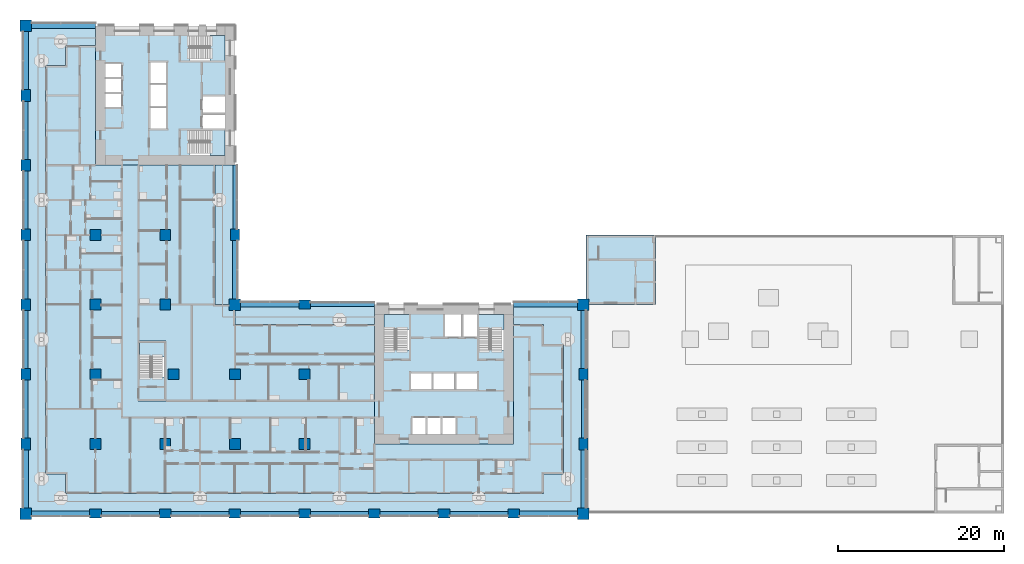
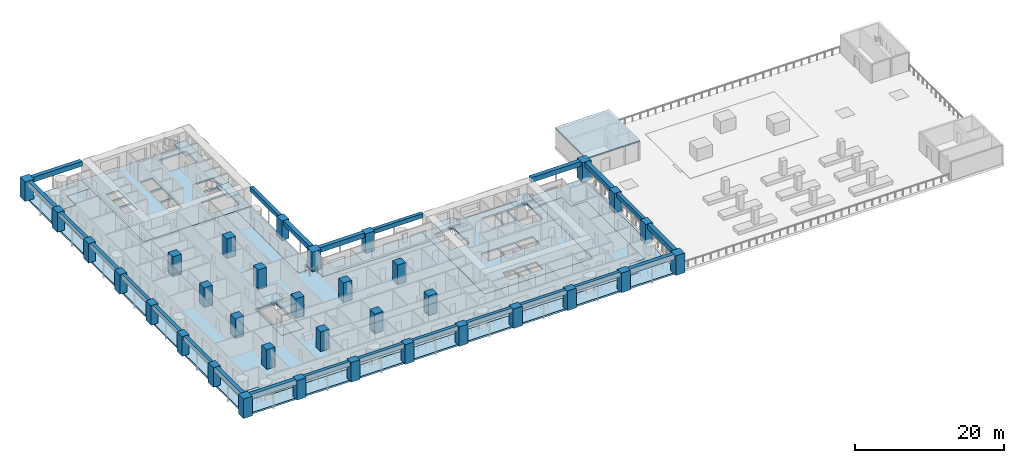
# One storey, part 1 of 23: 34 columns, 24 beams, 13 slabs, 5 elements without a shape of their own.
"""IFC4 building model written with IfcOpenShell, lengths in metres."""

import ifcopenshell
import ifcopenshell.guid

model = None  # the IFC model being written
_history = None  # IfcOwnerHistory: only IFC2X3 demands one
_inside = {}  # id of a spatial element -> (the spatial element, [elements in it])
_under = {}  # id of a project, library or spatial element -> (it, [spatial elements below it])
_declared = {}  # id of a project -> (the project, [libraries it declares])
_typed = {}  # id of a type object -> (the type object, [elements of that type])
_made_of = {}  # id of a material, layer set ... -> (it, [elements and type objects made of it])


def new_model(schema):
    """Start an empty IFC model of exactly this schema.

    Asked for "IFC4X3", IfcOpenShell would pick the latest addendum, in which some entities
    have other attributes; the version numbers below select the first issue.
    IFC2X3 requires an IfcOwnerHistory on every rooted entity: one is made here for all.
    """
    global model, _history
    if schema == "IFC4X3":
        model = ifcopenshell.file(schema_version=(4, 3, 0, 0))
    else:
        model = ifcopenshell.file(schema=schema)
    _inside.clear()
    _under.clear()
    _declared.clear()
    _typed.clear()
    _made_of.clear()
    _history = None
    if model.schema == "IFC2X3":
        org = make("IfcOrganization", Name="unknown")
        user = make(
            "IfcPersonAndOrganization",
            ThePerson=make("IfcPerson", FamilyName="unknown"),
            TheOrganization=org,
        )
        app = make(
            "IfcApplication",
            ApplicationDeveloper=org,
            Version="unknown",
            ApplicationFullName="unknown",
            ApplicationIdentifier="unknown",
        )
        _history = make(
            "IfcOwnerHistory",
            OwningUser=user,
            OwningApplication=app,
            ChangeAction="ADDED",
            CreationDate=0,
        )
    return model


def make(cls, **values):
    """One entity of the class cls with the attributes given. An attribute that is None is left unset."""
    return model.create_entity(
        cls, **{name: value for name, value in values.items() if value is not None}
    )


def rooted(cls, **values):
    """An entity with a GlobalId (a new one), such as an element, a storey or a relation."""
    return make(cls, GlobalId=ifcopenshell.guid.new(), OwnerHistory=_history, **values)


def si_unit(unit_type, name, prefix=None):
    """IfcSIUnit, for example si_unit("LENGTHUNIT", "METRE", prefix="MILLI")."""
    return make("IfcSIUnit", UnitType=unit_type, Prefix=prefix, Name=name)


def assignment(units):
    """IfcUnitAssignment: the units of a project."""
    return None if units is None else make("IfcUnitAssignment", Units=units)


def point(xyz):
    """IfcCartesianPoint."""
    return None if xyz is None else make("IfcCartesianPoint", Coordinates=xyz)


def direction(xyz):
    """IfcDirection."""
    return None if xyz is None else make("IfcDirection", DirectionRatios=xyz)


def frame(location, z_axis=None, x_axis=None):
    """IfcAxis2Placement3D, a coordinate frame: its origin and axes. An axis left out is left unset."""
    return make(
        "IfcAxis2Placement3D",
        Location=point(location),
        Axis=direction(z_axis),
        RefDirection=direction(x_axis),
    )


def frame_2d(location, x_axis=None):
    """IfcAxis2Placement2D, a coordinate frame in the plane: its origin and x axis."""
    return make(
        "IfcAxis2Placement2D", Location=point(location), RefDirection=direction(x_axis)
    )


def origin():
    """The frame at (0, 0, 0) with its axes left unset."""
    return frame((0.0, 0.0, 0.0))


def origin_2d():
    """The frame at (0, 0) in the plane with its x axis left unset."""
    return frame_2d((0.0, 0.0))


def place(relative_to, where):
    """IfcLocalPlacement: puts the frame where relative to a parent placement (None: the world)."""
    return make(
        "IfcLocalPlacement", PlacementRelTo=relative_to, RelativePlacement=where
    )


def context(
    kind, dimensions, precision=None, world=None, true_north=None, identifier=None
):
    """IfcGeometricRepresentationContext, for example the 3D "Model" context."""
    return make(
        "IfcGeometricRepresentationContext",
        ContextIdentifier=identifier,
        ContextType=kind,
        CoordinateSpaceDimension=dimensions,
        Precision=precision,
        WorldCoordinateSystem=world,
        TrueNorth=true_north,
    )


def subcontext(parent, identifier, kind, view, scale=None):
    """IfcGeometricRepresentationSubContext, for example "Body" below "Model"."""
    return make(
        "IfcGeometricRepresentationSubContext",
        ContextIdentifier=identifier,
        ContextType=kind,
        ParentContext=parent,
        TargetScale=scale,
        TargetView=view,
    )


def project(units=None, contexts=None):
    """IfcProject with its units and contexts."""
    return rooted(
        "IfcProject",
        Name="project",
        RepresentationContexts=contexts,
        UnitsInContext=assignment(units),
    )


def spatial(cls, under=None, at=None, **own):
    """A site, building, storey or space (cls), placed at a placement, below another one or the project."""
    s = rooted(cls, ObjectPlacement=at, **own)
    if under is not None:
        _under.setdefault(under.id(), (under, []))[1].append(s)
    return s


def polyline(points):
    """IfcPolyline through the points."""
    return make("IfcPolyline", Points=[point(p) for p in points])


def profile(cls, at=None, kind="AREA", **sizes):
    """A parametric profile (cls). Its sizes go by their IFC names, for example OverallWidth=200.0."""
    return make(cls, ProfileType=kind, Position=at, **sizes)


def rectangle(**sizes):
    """IfcRectangleProfileDef."""
    return profile("IfcRectangleProfileDef", **sizes)


def outline(outer, holes=None, kind="AREA"):
    """IfcArbitraryClosedProfileDef: a profile drawn as a closed curve; with holes, ...WithVoids."""
    if holes is None:
        return make("IfcArbitraryClosedProfileDef", ProfileType=kind, OuterCurve=outer)
    return make(
        "IfcArbitraryProfileDefWithVoids",
        ProfileType=kind,
        OuterCurve=outer,
        InnerCurves=holes,
    )


def extrude(swept, where, along, depth):
    """IfcExtrudedAreaSolid: the profile swept, set in the frame where, extruded along a direction by depth."""
    return make(
        "IfcExtrudedAreaSolid",
        SweptArea=swept,
        Position=where,
        ExtrudedDirection=direction(along),
        Depth=depth,
    )


def shape(context_of_items, identifier, shape_type, items):
    """IfcShapeRepresentation: the items that make up one representation, for example the "Body"."""
    return make(
        "IfcShapeRepresentation",
        ContextOfItems=context_of_items,
        RepresentationIdentifier=identifier,
        RepresentationType=shape_type,
        Items=items,
    )


def material(Name=None, Category=None):
    """IfcMaterial."""
    return make("IfcMaterial", Name=Name, Category=Category)


def layer(
    of_material, thickness, ventilated=None, Name=None, Category=None, Priority=None
):
    """IfcMaterialLayer: one layer of a wall or slab, of a material (None: an air gap)."""
    return make(
        "IfcMaterialLayer",
        Material=of_material,
        LayerThickness=thickness,
        IsVentilated=ventilated,
        Name=Name,
        Category=Category,
        Priority=Priority,
    )


def layer_set(layers, Name=None):
    """IfcMaterialLayerSet."""
    return make("IfcMaterialLayerSet", MaterialLayers=layers, LayerSetName=Name)


def material_profile(
    of_material, cross_section, Name=None, Category=None, Priority=None
):
    """IfcMaterialProfile: a cross section and its material."""
    return make(
        "IfcMaterialProfile",
        Name=Name,
        Material=of_material,
        Profile=cross_section,
        Priority=Priority,
        Category=Category,
    )


def profile_set(profiles, Name=None, composite=None):
    """IfcMaterialProfileSet."""
    return make(
        "IfcMaterialProfileSet",
        Name=Name,
        MaterialProfiles=profiles,
        CompositeProfile=composite,
    )


def made_of(thing, what):
    """Note that an element or type object is made of a material, layer set ...; save() writes the relation."""
    if what is not None:
        _made_of.setdefault(what.id(), (what, []))[1].append(thing)
    return thing


def type_object(cls, material=None, **own):
    """A type object (cls), such as IfcWallType, which elements share."""
    return made_of(rooted(cls, **own), material)


def element(
    cls,
    number,
    at=None,
    inside=None,
    cuts=None,
    type_object=None,
    material=None,
    context=None,
    identifier="Body",
    shape_type=None,
    held_by="IfcProductDefinitionShape",
    body=None,
    shapes=None,
    **own,
):
    """One element of the class cls, such as IfcWall. Its Tag is "e" and its number.

    at: its placement. inside: the storey or other place that contains it. cuts: it is an
    opening in that element (IfcRelVoidsElement). A single representation is given by context,
    identifier, shape_type and body (its items); several are given by shapes. held_by: the class
    of the entity that holds the representations. save() writes the other relations.
    """
    e = rooted(cls, Tag="e%d" % number, ObjectPlacement=at, **own)
    if body is not None:
        shapes = [shape(context, identifier, shape_type, body)]
    if shapes is not None:
        e.Representation = make(held_by, Representations=shapes)
    if inside is not None:
        _inside.setdefault(inside.id(), (inside, []))[1].append(e)
    if cuts is not None:
        rooted(
            "IfcRelVoidsElement", RelatingBuildingElement=cuts, RelatedOpeningElement=e
        )
    if type_object is not None:
        _typed.setdefault(type_object.id(), (type_object, []))[1].append(e)
    return made_of(e, material)


def aggregate(whole, parts):
    """IfcRelAggregates: a whole, such as a stair, and the parts it consists of."""
    return rooted("IfcRelAggregates", RelatingObject=whole, RelatedObjects=parts)


def save(model, path):
    """Write the relations noted so far, then the file.

    IfcRelAggregates (storeys below a building ...), IfcRelContainedInSpatialStructure (elements
    in a storey), IfcRelDefinesByType, IfcRelAssociatesMaterial and IfcRelDeclares: one each for
    every whole, place, type object, material and project.
    """
    for whole, parts in _under.values():
        aggregate(whole, parts)
    for where, things in _inside.values():
        rooted(
            "IfcRelContainedInSpatialStructure",
            RelatedElements=things,
            RelatingStructure=where,
        )
    for kind, things in _typed.values():
        rooted("IfcRelDefinesByType", RelatedObjects=things, RelatingType=kind)
    for what, things in _made_of.values():
        rooted("IfcRelAssociatesMaterial", RelatedObjects=things, RelatingMaterial=what)
    for by, libraries in _declared.values():
        rooted("IfcRelDeclares", RelatingContext=by, RelatedDefinitions=libraries)
    model.write(path)


model = new_model("IFC4")

# Units and contexts
model_context = context("Model", 3, precision=1e-05, world=origin(), true_north=direction((0.0, 1.0)))
body_context = subcontext(model_context, "Body", "Model", "MODEL_VIEW")
ifc_project = project(units=[si_unit("LENGTHUNIT", "METRE"), si_unit("AREAUNIT", "SQUARE_METRE"), si_unit("VOLUMEUNIT", "CUBIC_METRE"), si_unit("PLANEANGLEUNIT", "RADIAN"), si_unit("MASSUNIT", "GRAM", prefix="KILO")], contexts=[model_context])

# Site, building, storey
site_placement = place(None, origin())
site = spatial("IfcSite", under=ifc_project, at=site_placement, CompositionType="ELEMENT")
building_placement = place(site_placement, origin())
building = spatial("IfcBuilding", under=site, at=building_placement, Name="Vermilion Gate Residences", CompositionType="ELEMENT")
storey_placement = place(building_placement, frame((0.0, 0.0, 25.199951171875)))
storey = spatial("IfcBuildingStorey", under=building, at=storey_placement, Name="L04", CompositionType="ELEMENT", Elevation=25.199951171875)

# Columns
ifc_material_1 = material(Name="Concrete C80", Category="concrete")
ifc_material_profile_1 = material_profile(ifc_material_1, rectangle(XDim=1.300048828125, YDim=1.300048828125, at=origin_2d()), Name="RC-1300x1300")
ifc_profile_set_1 = profile_set([ifc_material_profile_1], Name="Concrete C80")
column_type_1 = type_object("IfcColumnType", Name="RC COLUMN 1300 X 1300 C80", PredefinedType="COLUMN", material=ifc_profile_set_1)
for number, where, z_axis, x_axis, name in (
    (1, (8.39990234375, 8.39990234375, 0.0), (0.0, 0.0, 1.0), (1.0, 0.0, 0.0), "Column 2-B L04"),
    (2, (8.39990234375, 16.800048828125, 0.0), (0.0, 0.0, 1.0), (1.0, 0.0, 0.0), "Column 2-C L04"),
    (3, (8.39990234375, 25.199951171875, 0.0), (0.0, 0.0, 1.0), (1.0, 0.0, 0.0), "Column 2-D L04"),
    (4, (8.39990234375, 33.60009765625, 0.0), (0.0, 0.0, 1.0), (1.0, 0.0, 0.0), "Column 2-E L04"),
    (5, (16.800048828125, 8.39990234375, 0.0), (0.0, 0.0, 1.0), (1.0, 0.0, 0.0), "Column 3-B L04"),
    (6, (17.800048828125, 16.800048828125, 0.0), (0.0, 0.0, 1.0), (1.0, 0.0, 0.0), "Column 3-C L04"),
    (7, (16.800048828125, 25.199951171875, 0.0), (0.0, 0.0, 1.0), (1.0, 0.0, 0.0), "Column 3-D L04"),
    (8, (16.800048828125, 33.60009765625, 0.0), (0.0, 0.0, 1.0), (1.0, 0.0, 0.0), "Column 3-E L04"),
    (9, (25.199951171875, 8.39990234375, 0.0), (0.0, 0.0, 1.0), (1.0, 0.0, 0.0), "Column 4-B L04"),
    (10, (25.199951171875, 16.800048828125, 0.0), (0.0, 0.0, 1.0), (1.0, 0.0, 0.0), "Column 4-C L04"),
    (11, (33.60009765625, 8.39990234375, 0.0), (0.0, 0.0, 1.0), (1.0, 0.0, 0.0), "Column 5-B L04"),
    (12, (33.60009765625, 16.800048828125, 0.0), (0.0, 0.0, 1.0), (1.0, 0.0, 0.0), "Column 5-C L04"),
):
    element("IfcColumn", number, at=place(storey_placement, frame(where, z_axis=z_axis, x_axis=x_axis)), inside=storey, type_object=column_type_1, Name=name, PredefinedType="COLUMN", context=body_context, shape_type="SweptSolid", body=[
        extrude(rectangle(XDim=1.300048828125, YDim=1.300048828125, at=origin_2d()), origin(), (0.0, 0.0, 1.0), 3.219970703125),
    ])
ifc_material_2 = material(Name="Concrete C80", Category="concrete")
ifc_material_profile_2 = material_profile(ifc_material_2, rectangle(XDim=1.39990234375, YDim=1.10009765625, at=origin_2d()), Name="RC-1400x1100")
ifc_profile_set_2 = profile_set([ifc_material_profile_2], Name="Concrete C80")
column_type_2 = type_object("IfcColumnType", Name="RC COLUMN 1400 X 1100 C80", PredefinedType="COLUMN", material=ifc_profile_set_2)
for number, where, z_axis, x_axis, name in (
    (13, (0.0, 8.39990234375, 0.0), (0.0, 0.0, 1.0), (0.0, 1.0, 0.0), "Column 1-B L04"),
    (14, (0.0, 16.800048828125, 0.0), (0.0, 0.0, 1.0), (0.0, 1.0, 0.0), "Column 1-C L04"),
    (15, (0.0, 25.199951171875, 0.0), (0.0, 0.0, 1.0), (0.0, 1.0, 0.0), "Column 1-D L04"),
    (16, (0.0, 33.60009765625, 0.0), (0.0, 0.0, 1.0), (0.0, 1.0, 0.0), "Column 1-E L04"),
    (17, (0.0, 42.0, 0.0), (0.0, 0.0, 1.0), (0.0, 1.0, 0.0), "Column 1-F L04"),
    (18, (0.0, 50.39990234375, 0.0), (0.0, 0.0, 1.0), (0.0, 1.0, 0.0), "Column 1-G L04"),
    (19, (8.39990234375, 0.0, 0.0), (0.0, 0.0, 1.0), (1.0, 0.0, 0.0), "Column 2-A L04"),
    (20, (16.800048828125, 0.0, 0.0), (0.0, 0.0, 1.0), (1.0, 0.0, 0.0), "Column 3-A L04"),
    (21, (25.199951171875, 0.0, 0.0), (0.0, 0.0, 1.0), (1.0, 0.0, 0.0), "Column 4-A L04"),
    (22, (25.199951171875, 33.60009765625, 0.0), (0.0, 0.0, 1.0), (0.0, 1.0, 0.0), "Column 4-E L04"),
    (23, (33.60009765625, 0.0, 0.0), (0.0, 0.0, 1.0), (1.0, 0.0, 0.0), "Column 5-A L04"),
    (24, (33.60009765625, 25.199951171875, 0.0), (0.0, 0.0, 1.0), (1.0, 0.0, 0.0), "Column 5-D L04"),
    (25, (42.0, 0.0, 0.0), (0.0, 0.0, 1.0), (1.0, 0.0, 0.0), "Column 6-A L04"),
    (26, (50.39990234375, 0.0, 0.0), (0.0, 0.0, 1.0), (1.0, 0.0, 0.0), "Column 7-A L04"),
    (27, (58.800048828125, 0.0, 0.0), (0.0, 0.0, 1.0), (1.0, 0.0, 0.0), "Column 8-A L04"),
    (28, (67.199951171875, 8.39990234375, 0.0), (0.0, 0.0, 1.0), (0.0, 1.0, 0.0), "Column 9-B L04"),
    (29, (67.199951171875, 16.800048828125, 0.0), (0.0, 0.0, 1.0), (0.0, 1.0, 0.0), "Column 9-C L04"),
):
    element("IfcColumn", number, at=place(storey_placement, frame(where, z_axis=z_axis, x_axis=x_axis)), inside=storey, type_object=column_type_2, Name=name, PredefinedType="COLUMN", context=body_context, shape_type="SweptSolid", body=[
        extrude(rectangle(XDim=1.39990234375, YDim=1.10009765625, at=origin_2d()), origin(), (0.0, 0.0, 1.0), 3.219970703125),
    ])
ifc_material_3 = material(Name="Concrete C80", Category="concrete")
ifc_material_profile_3 = material_profile(ifc_material_3, rectangle(XDim=1.39990234375, YDim=1.39990234375, at=origin_2d()), Name="RC-1400x1400")
ifc_profile_set_3 = profile_set([ifc_material_profile_3], Name="Concrete C80")
column_type_3 = type_object("IfcColumnType", Name="RC COLUMN 1400 X 1400 C80", PredefinedType="COLUMN", material=ifc_profile_set_3)
for number, where, z_axis, x_axis, name in (
    (30, (0.0, 0.0, 0.0), (0.0, 0.0, 1.0), (1.0, 0.0, 0.0), "Column 1-A L04"),
    (31, (0.0, 58.800048828125, 0.0), (0.0, 0.0, 1.0), (1.0, 0.0, 0.0), "Column 1-H L04"),
    (32, (25.199951171875, 25.199951171875, 0.0), (0.0, 0.0, 1.0), (1.0, 0.0, 0.0), "Column 4-D L04"),
    (33, (67.199951171875, 0.0, 0.0), (0.0, 0.0, 1.0), (1.0, 0.0, 0.0), "Column 9-A L04"),
    (34, (67.199951171875, 25.199951171875, 0.0), (0.0, 0.0, 1.0), (1.0, 0.0, 0.0), "Column 9-D L04"),
):
    element("IfcColumn", number, at=place(storey_placement, frame(where, z_axis=z_axis, x_axis=x_axis)), inside=storey, type_object=column_type_3, Name=name, PredefinedType="COLUMN", context=body_context, shape_type="SweptSolid", body=[
        extrude(rectangle(XDim=1.39990234375, YDim=1.39990234375, at=origin_2d()), origin(), (0.0, 0.0, 1.0), 3.219970703125),
    ])

# Beams
ifc_material_4 = material(Name="Concrete C60 red-oxide pigmented", Category="concrete")
ifc_material_profile_4 = material_profile(ifc_material_4, rectangle(XDim=0.60009765625, YDim=0.800048828125, at=origin_2d()), Name="RC-600x800")
ifc_profile_set_4 = profile_set([ifc_material_profile_4], Name="Concrete C60 red-oxide pigmented")
beam_type_1 = type_object("IfcBeamType", Name="RC CORNER EDGE BEAM 600 X 800 C60", PredefinedType="BEAM", material=ifc_profile_set_4)
for number, where, z_axis, x_axis, name in (
    (35, (0.699951171875, 0.0, 2.820068359375), (1.0, 0.0, 0.0), (0.0, 1.0, 0.0), "Corner edge beam L04 1"),
    (36, (0.0, 0.699951171875, 2.820068359375), (0.0, 1.0, 0.0), (-1.0, 0.0, 0.0), "Corner edge beam L04 2"),
):
    element("IfcBeam", number, at=place(storey_placement, frame(where, z_axis=z_axis, x_axis=x_axis)), inside=storey, type_object=beam_type_1, Name=name, PredefinedType="BEAM", context=body_context, shape_type="SweptSolid", body=[
        extrude(rectangle(XDim=0.60009765625, YDim=0.800048828125, at=origin_2d()), origin(), (0.0, 0.0, 1.0), 7.0),
    ])
beam_1_placement = place(storey_placement, frame((0.699951171875, 58.800048828125, 2.820068359375), z_axis=(1.0, 0.0, 0.0), x_axis=(0.0, 1.0, 0.0)))
element("IfcBeam", 37, at=beam_1_placement, inside=storey, type_object=beam_type_1, Name="Corner edge beam L04 8", PredefinedType="BEAM", context=body_context, shape_type="SweptSolid", body=[
    extrude(rectangle(XDim=0.60009765625, YDim=0.800048828125, at=origin_2d()), origin(), (0.0, 0.0, 1.0), 7.699951171875),
])
for number, where, z_axis, x_axis, name in (
    (38, (0.0, 51.10009765625, 2.820068359375), (0.0, 1.0, 0.0), (-1.0, 0.0, 0.0), "Corner edge beam L04 9"),
    (39, (25.199951171875, 25.89990234375, 2.820068359375), (0.0, 1.0, 0.0), (-1.0, 0.0, 0.0), "Corner edge beam L04 12"),
    (40, (25.89990234375, 25.199951171875, 2.820068359375), (1.0, 0.0, 0.0), (0.0, 1.0, 0.0), "Corner edge beam L04 15"),
    (41, (59.5, 0.0, 2.820068359375), (1.0, 0.0, 0.0), (0.0, 1.0, 0.0), "Corner edge beam L04 20"),
    (42, (67.199951171875, 0.699951171875, 2.820068359375), (0.0, 1.0, 0.0), (-1.0, 0.0, 0.0), "Corner edge beam L04 21"),
    (43, (67.199951171875, 17.5, 2.820068359375), (0.0, 1.0, 0.0), (-1.0, 0.0, 0.0), "Corner edge beam L04 23"),
):
    element("IfcBeam", number, at=place(storey_placement, frame(where, z_axis=z_axis, x_axis=x_axis)), inside=storey, type_object=beam_type_1, Name=name, PredefinedType="BEAM", context=body_context, shape_type="SweptSolid", body=[
        extrude(rectangle(XDim=0.60009765625, YDim=0.800048828125, at=origin_2d()), origin(), (0.0, 0.0, 1.0), 7.0),
    ])
beam_2_placement = place(storey_placement, frame((58.800048828125, 25.199951171875, 2.820068359375), z_axis=(1.0, 0.0, 0.0), x_axis=(0.0, 1.0, 0.0)))
element("IfcBeam", 44, at=beam_2_placement, inside=storey, type_object=beam_type_1, Name="Corner edge beam L04 24", PredefinedType="BEAM", context=body_context, shape_type="SweptSolid", body=[
    extrude(rectangle(XDim=0.60009765625, YDim=0.800048828125, at=origin_2d()), origin(), (0.0, 0.0, 1.0), 7.699951171875),
])
ifc_material_5 = material(Name="Concrete C60 red-oxide pigmented", Category="concrete")
ifc_material_profile_5 = material_profile(ifc_material_5, rectangle(XDim=0.5, YDim=0.699951171875, at=origin_2d()), Name="RC-500x700")
ifc_profile_set_5 = profile_set([ifc_material_profile_5], Name="Concrete C60 red-oxide pigmented")
beam_type_2 = type_object("IfcBeamType", Name="RC EDGE BEAM 500 X 700 C60", PredefinedType="BEAM", material=ifc_profile_set_5)
for number, where, z_axis, x_axis, name in (
    (45, (0.0, 9.10009765625, 2.8701171875), (0.0, 1.0, 0.0), (-1.0, 0.0, 0.0), "Edge beam L04 3"),
    (46, (0.0, 17.5, 2.8701171875), (0.0, 1.0, 0.0), (-1.0, 0.0, 0.0), "Edge beam L04 4"),
    (47, (0.0, 25.89990234375, 2.8701171875), (0.0, 1.0, 0.0), (-1.0, 0.0, 0.0), "Edge beam L04 5"),
    (48, (0.0, 34.300048828125, 2.8701171875), (0.0, 1.0, 0.0), (-1.0, 0.0, 0.0), "Edge beam L04 6"),
    (49, (0.0, 42.699951171875, 2.8701171875), (0.0, 1.0, 0.0), (-1.0, 0.0, 0.0), "Edge beam L04 7"),
    (50, (9.10009765625, 0.0, 2.8701171875), (1.0, 0.0, 0.0), (0.0, 1.0, 0.0), "Edge beam L04 10"),
    (51, (17.5, 0.0, 2.8701171875), (1.0, 0.0, 0.0), (0.0, 1.0, 0.0), "Edge beam L04 11"),
):
    element("IfcBeam", number, at=place(storey_placement, frame(where, z_axis=z_axis, x_axis=x_axis)), inside=storey, type_object=beam_type_2, Name=name, PredefinedType="BEAM", context=body_context, shape_type="SweptSolid", body=[
        extrude(rectangle(XDim=0.5, YDim=0.699951171875, at=origin_2d()), origin(), (0.0, 0.0, 1.0), 7.0),
    ])
beam_3_placement = place(storey_placement, frame((25.199951171875, 34.300048828125, 2.8701171875), z_axis=(0.0, 1.0, 0.0), x_axis=(-1.0, 0.0, 0.0)))
element("IfcBeam", 52, at=beam_3_placement, inside=storey, type_object=beam_type_2, Name="Edge beam L04 13", PredefinedType="BEAM", context=body_context, shape_type="SweptSolid", body=[
    extrude(rectangle(XDim=0.5, YDim=0.699951171875, at=origin_2d()), origin(), (0.0, 0.0, 1.0), 7.699951171875),
])
for number, where, z_axis, x_axis, name in (
    (53, (25.89990234375, 0.0, 2.8701171875), (1.0, 0.0, 0.0), (0.0, 1.0, 0.0), "Edge beam L04 14"),
    (54, (34.300048828125, 0.0, 2.8701171875), (1.0, 0.0, 0.0), (0.0, 1.0, 0.0), "Edge beam L04 16"),
):
    element("IfcBeam", number, at=place(storey_placement, frame(where, z_axis=z_axis, x_axis=x_axis)), inside=storey, type_object=beam_type_2, Name=name, PredefinedType="BEAM", context=body_context, shape_type="SweptSolid", body=[
        extrude(rectangle(XDim=0.5, YDim=0.699951171875, at=origin_2d()), origin(), (0.0, 0.0, 1.0), 7.0),
    ])
beam_4_placement = place(storey_placement, frame((34.300048828125, 25.199951171875, 2.8701171875), z_axis=(1.0, 0.0, 0.0), x_axis=(0.0, 1.0, 0.0)))
element("IfcBeam", 55, at=beam_4_placement, inside=storey, type_object=beam_type_2, Name="Edge beam L04 17", PredefinedType="BEAM", context=body_context, shape_type="SweptSolid", body=[
    extrude(rectangle(XDim=0.5, YDim=0.699951171875, at=origin_2d()), origin(), (0.0, 0.0, 1.0), 7.699951171875),
])
for number, where, z_axis, x_axis, name in (
    (56, (42.699951171875, 0.0, 2.8701171875), (1.0, 0.0, 0.0), (0.0, 1.0, 0.0), "Edge beam L04 18"),
    (57, (51.10009765625, 0.0, 2.8701171875), (1.0, 0.0, 0.0), (0.0, 1.0, 0.0), "Edge beam L04 19"),
    (58, (67.199951171875, 9.10009765625, 2.8701171875), (0.0, 1.0, 0.0), (-1.0, 0.0, 0.0), "Edge beam L04 22"),
):
    element("IfcBeam", number, at=place(storey_placement, frame(where, z_axis=z_axis, x_axis=x_axis)), inside=storey, type_object=beam_type_2, Name=name, PredefinedType="BEAM", context=body_context, shape_type="SweptSolid", body=[
        extrude(rectangle(XDim=0.5, YDim=0.699951171875, at=origin_2d()), origin(), (0.0, 0.0, 1.0), 7.0),
    ])

# Slabs
ifc_material_6 = material(Name="Concrete C35", Category="concrete")
ifc_layer_1 = layer(ifc_material_6, 0.199951171875)
ifc_layer_set_1 = layer_set([ifc_layer_1], Name="HEAD-HOUSE ROOF SLAB 200 C35 (MARKET HALL)")
slab_type_1 = type_object("IfcSlabType", Name="HEAD-HOUSE ROOF SLAB 200 C35 (MARKET HALL)", PredefinedType="ROOF", material=ifc_layer_set_1)
slab_1_placement = place(storey_placement, frame((0.0, 0.0, 3.0)))
element("IfcSlab", 59, at=slab_1_placement, inside=storey, type_object=slab_type_1, Name="Head-house roof A", PredefinedType="ROOF", context=body_context, shape_type="SweptSolid", body=[
    extrude(outline(polyline([(75.89990234375, 25.199951171875), (75.89990234375, 33.60009765625), (67.5, 33.60009765625), (67.5, 25.199951171875), (75.89990234375, 25.199951171875)])), origin(), (0.0, 0.0, 1.0), 0.199951171875),
])
ifc_material_7 = material(Name="Concrete C50", Category="concrete")
ifc_layer_2 = layer(ifc_material_7, 0.280029296875)
ifc_layer_set_2 = layer_set([ifc_layer_2], Name="RC CORE FLOOR SLAB 280 C50")
slab_type_2 = type_object("IfcSlabType", Name="RC CORE FLOOR SLAB 280 C50", PredefinedType="FLOOR", material=ifc_layer_set_2)
slab_2_placement = place(storey_placement, frame((0.0, 0.0, -0.280029296875)))
element("IfcSlab", 60, at=slab_2_placement, inside=storey, type_object=slab_type_2, Name="Core floor slab A04", PredefinedType="FLOOR", context=body_context, shape_type="SweptSolid", body=[
    extrude(outline(polyline([(42.0, 8.39990234375), (58.800048828125, 8.39990234375), (58.800048828125, 25.199951171875), (42.0, 25.199951171875), (42.0, 8.39990234375)]), holes=[polyline([(46.60009765625, 11.5), (48.199951171875, 11.5), (48.199951171875, 9.60009765625), (46.60009765625, 9.60009765625), (46.60009765625, 11.5)]), polyline([(48.39990234375, 11.5), (50.0, 11.5), (50.0, 9.60009765625), (48.39990234375, 9.60009765625), (48.39990234375, 11.5)]), polyline([(50.199951171875, 11.5), (51.800048828125, 11.5), (51.800048828125, 9.60009765625), (50.199951171875, 9.60009765625), (50.199951171875, 11.5)]), polyline([(48.933349609375, 16.89990234375), (48.933349609375, 15.0), (46.39990234375, 15.0), (46.39990234375, 16.89990234375), (48.933349609375, 16.89990234375)]), polyline([(51.666748046875, 16.89990234375), (51.666748046875, 15.0), (49.13330078125, 15.0), (49.13330078125, 16.89990234375), (51.666748046875, 16.89990234375)]), polyline([(51.86669921875, 16.89990234375), (54.39990234375, 16.89990234375), (54.39990234375, 15.0), (51.86669921875, 15.0), (51.86669921875, 16.89990234375)]), polyline([(43.199951171875, 24.0), (46.199951171875, 24.0), (46.199951171875, 19.75), (43.199951171875, 19.75), (43.199951171875, 24.0)]), polyline([(54.60009765625, 24.0), (57.60009765625, 24.0), (57.60009765625, 19.75), (54.60009765625, 19.75), (54.60009765625, 24.0)]), polyline([(52.5, 24.0), (52.5, 21.300048828125), (50.5, 21.300048828125), (50.5, 24.0), (52.5, 24.0)]), polyline([(54.39990234375, 24.0), (54.39990234375, 21.300048828125), (52.699951171875, 21.300048828125), (52.699951171875, 24.0), (54.39990234375, 24.0)])]), origin(), (0.0, 0.0, 1.0), 0.280029296875),
])
slab_3_placement = place(storey_placement, frame((0.0, 0.0, -0.280029296875)))
element("IfcSlab", 61, at=slab_3_placement, inside=storey, type_object=slab_type_2, Name="Core floor slab B04", PredefinedType="FLOOR", context=body_context, shape_type="SweptSolid", body=[
    extrude(outline(polyline([(8.39990234375, 42.0), (25.199951171875, 42.0), (25.199951171875, 58.800048828125), (8.39990234375, 58.800048828125), (8.39990234375, 42.0)]), holes=[polyline([(19.75, 46.199951171875), (24.0, 46.199951171875), (24.0, 43.199951171875), (19.75, 43.199951171875), (19.75, 46.199951171875)]), polyline([(21.300048828125, 48.10009765625), (24.0, 48.10009765625), (24.0, 46.39990234375), (21.300048828125, 46.39990234375), (21.300048828125, 48.10009765625)]), polyline([(15.0, 48.933349609375), (16.89990234375, 48.933349609375), (16.89990234375, 46.39990234375), (15.0, 46.39990234375), (15.0, 48.933349609375)]), polyline([(24.0, 50.300048828125), (24.0, 48.300048828125), (21.300048828125, 48.300048828125), (21.300048828125, 50.300048828125), (24.0, 50.300048828125)]), polyline([(11.5, 50.60009765625), (11.5, 49.0), (9.60009765625, 49.0), (9.60009765625, 50.60009765625), (11.5, 50.60009765625)]), polyline([(15.0, 51.666748046875), (16.89990234375, 51.666748046875), (16.89990234375, 49.13330078125), (15.0, 49.13330078125), (15.0, 51.666748046875)]), polyline([(9.60009765625, 52.39990234375), (11.5, 52.39990234375), (11.5, 50.800048828125), (9.60009765625, 50.800048828125), (9.60009765625, 52.39990234375)]), polyline([(15.0, 54.39990234375), (16.89990234375, 54.39990234375), (16.89990234375, 51.86669921875), (15.0, 51.86669921875), (15.0, 54.39990234375)]), polyline([(11.5, 54.199951171875), (11.5, 52.60009765625), (9.60009765625, 52.60009765625), (9.60009765625, 54.199951171875), (11.5, 54.199951171875)]), polyline([(24.0, 57.60009765625), (24.0, 54.60009765625), (19.75, 54.60009765625), (19.75, 57.60009765625), (24.0, 57.60009765625)])]), origin(), (0.0, 0.0, 1.0), 0.280029296875),
])
slab_4_placement = place(storey_placement, frame((0.0, 0.0, -0.280029296875)))
element("IfcSlab", 62, at=slab_4_placement, inside=storey, type_object=slab_type_2, Name="Apex stair floor slab 04", PredefinedType="FLOOR", context=body_context, shape_type="SweptSolid", body=[
    extrude(outline(polyline([(13.5, 13.60009765625), (16.89990234375, 13.60009765625), (16.89990234375, 20.800048828125), (13.5, 20.800048828125), (13.5, 13.60009765625)]), holes=[polyline([(16.699951171875, 20.60009765625), (16.699951171875, 16.449951171875), (13.699951171875, 16.449951171875), (13.699951171875, 20.60009765625), (16.699951171875, 20.60009765625)])]), origin(), (0.0, 0.0, 1.0), 0.280029296875),
])
ifc_material_8 = material(Name="Concrete C50", Category="concrete")
ifc_layer_3 = layer(ifc_material_8, 0.280029296875)
ifc_layer_set_3 = layer_set([ifc_layer_3], Name="RC FLAT PLATE 280 C50")
slab_type_3 = type_object("IfcSlabType", Name="RC FLAT PLATE 280 C50", PredefinedType="FLOOR", material=ifc_layer_set_3)
slab_5_placement = place(storey_placement, frame((0.0, 0.0, -0.280029296875)))
element("IfcSlab", 63, at=slab_5_placement, inside=storey, type_object=slab_type_3, Name="Floor slab L04", PredefinedType="FLOOR", context=body_context, shape_type="SweptSolid", body=[
    extrude(outline(polyline([(22.800048828125, 25.199951171875), (22.800048828125, 42.0), (8.39990234375, 42.0), (8.39990234375, 56.39990234375), (4.800048828125, 56.39990234375), (4.800048828125, 54.0), (2.39990234375, 54.0), (2.39990234375, 4.800048828125), (4.800048828125, 4.800048828125), (4.800048828125, 2.39990234375), (62.39990234375, 2.39990234375), (62.39990234375, 4.800048828125), (64.800048828125, 4.800048828125), (64.800048828125, 20.39990234375), (62.39990234375, 20.39990234375), (62.39990234375, 22.800048828125), (58.800048828125, 22.800048828125), (58.800048828125, 8.39990234375), (42.0, 8.39990234375), (42.0, 22.800048828125), (25.199951171875, 22.800048828125), (25.199951171875, 25.199951171875), (22.800048828125, 25.199951171875)]), holes=[polyline([(13.5, 13.60009765625), (13.5, 20.800048828125), (16.89990234375, 20.800048828125), (16.89990234375, 13.60009765625), (13.5, 13.60009765625)])]), origin(), (0.0, 0.0, 1.0), 0.280029296875),
])
ifc_material_9 = material(Name="Concrete C50 red-oxide pigmented", Category="concrete")
ifc_layer_4 = layer(ifc_material_9, 0.280029296875)
ifc_layer_set_4 = layer_set([ifc_layer_4], Name="RC LOGGIA SLAB 280 C50")
slab_type_4 = type_object("IfcSlabType", Name="RC LOGGIA SLAB 280 C50", PredefinedType="FLOOR", material=ifc_layer_set_4)
slab_6_placement = place(storey_placement, frame((0.0, 0.0, -0.280029296875)))
element("IfcSlab", 64, at=slab_6_placement, inside=storey, type_object=slab_type_4, Name="Loggia slab L04", PredefinedType="FLOOR", context=body_context, shape_type="SweptSolid", body=[
    extrude(outline(polyline([(0.0, 58.800048828125), (0.0, 0.0), (67.199951171875, 0.0), (67.199951171875, 25.199951171875), (58.800048828125, 25.199951171875), (58.800048828125, 22.800048828125), (62.39990234375, 22.800048828125), (62.39990234375, 20.39990234375), (64.800048828125, 20.39990234375), (64.800048828125, 4.800048828125), (62.39990234375, 4.800048828125), (62.39990234375, 2.39990234375), (4.800048828125, 2.39990234375), (4.800048828125, 4.800048828125), (2.39990234375, 4.800048828125), (2.39990234375, 54.0), (4.800048828125, 54.0), (4.800048828125, 56.39990234375), (8.39990234375, 56.39990234375), (8.39990234375, 58.800048828125), (0.0, 58.800048828125)])), origin(), (0.0, 0.0, 1.0), 0.280029296875),
])
slab_7_placement = place(storey_placement, frame((0.0, 0.0, -0.280029296875)))
element("IfcSlab", 65, at=slab_7_placement, inside=storey, type_object=slab_type_4, Name="Loggia slab L04", PredefinedType="FLOOR", context=body_context, shape_type="SweptSolid", body=[
    extrude(outline(polyline([(25.199951171875, 22.800048828125), (42.0, 22.800048828125), (42.0, 25.199951171875), (25.199951171875, 25.199951171875), (25.199951171875, 22.800048828125)])), origin(), (0.0, 0.0, 1.0), 0.280029296875),
])
slab_8_placement = place(storey_placement, frame((0.0, 0.0, -0.280029296875)))
element("IfcSlab", 66, at=slab_8_placement, inside=storey, type_object=slab_type_4, Name="Loggia slab L04", PredefinedType="FLOOR", context=body_context, shape_type="SweptSolid", body=[
    extrude(outline(polyline([(22.800048828125, 42.0), (22.800048828125, 25.199951171875), (25.199951171875, 25.199951171875), (25.199951171875, 42.0), (22.800048828125, 42.0)])), origin(), (0.0, 0.0, 1.0), 0.280029296875),
])

# Stair, slab
ifc_material_10 = material(Name="Concrete C50", Category="concrete")
stair_type = type_object("IfcStairType", Name="SPECIAL ESCAPE STAIR 1300", PredefinedType="HALF_TURN_STAIR", material=ifc_material_10)
stair_1_placement = place(storey_placement, origin())
stair_1 = element("IfcStair", 67, at=stair_1_placement, inside=storey, type_object=stair_type, Name="Special escape stair STA1-04", PredefinedType="HALF_TURN_STAIR")
ifc_material_11 = material(Name="Concrete C50", Category="concrete")
ifc_layer_5 = layer(ifc_material_11, 0.199951171875)
ifc_layer_set_5 = layer_set([ifc_layer_5], Name="STAIR LANDING 200 C50")
slab_type_5 = type_object("IfcSlabType", Name="STAIR LANDING 200 C50", PredefinedType="LANDING", material=ifc_layer_set_5)
slab_9_placement = place(storey_placement, frame((0.0, 0.0, 1.550048828125)))
slab_9 = element("IfcSlab", 68, at=slab_9_placement, type_object=slab_type_5, Name="STA1-04 landing 1", PredefinedType="LANDING", context=body_context, shape_type="SweptSolid", body=[
    extrude(outline(polyline([(46.219970703125, 22.179931640625), (46.219970703125, 24.02001953125), (43.179931640625, 24.02001953125), (43.179931640625, 22.179931640625), (46.219970703125, 22.179931640625)])), origin(), (0.0, 0.0, 1.0), 0.199951171875),
])
aggregate(stair_1, [slab_9])

stair_2_placement = place(storey_placement, origin())
stair_2 = element("IfcStair", 69, at=stair_2_placement, inside=storey, type_object=stair_type, Name="Special escape stair STA2-04", PredefinedType="HALF_TURN_STAIR")
slab_10_placement = place(storey_placement, frame((0.0, 0.0, 1.550048828125)))
slab_10 = element("IfcSlab", 70, at=slab_10_placement, type_object=slab_type_5, Name="STA2-04 landing 1", PredefinedType="LANDING", context=body_context, shape_type="SweptSolid", body=[
    extrude(outline(polyline([(57.6201171875, 22.179931640625), (57.6201171875, 24.02001953125), (54.580078125, 24.02001953125), (54.580078125, 22.179931640625), (57.6201171875, 22.179931640625)])), origin(), (0.0, 0.0, 1.0), 0.199951171875),
])
aggregate(stair_2, [slab_10])

stair_3_placement = place(storey_placement, origin())
stair_3 = element("IfcStair", 71, at=stair_3_placement, inside=storey, type_object=stair_type, Name="Special escape stair STB1-04", PredefinedType="HALF_TURN_STAIR")
slab_11_placement = place(storey_placement, frame((0.0, 0.0, 1.550048828125)))
slab_11 = element("IfcSlab", 72, at=slab_11_placement, type_object=slab_type_5, Name="STB1-04 landing 1", PredefinedType="LANDING", context=body_context, shape_type="SweptSolid", body=[
    extrude(outline(polyline([(24.02001953125, 54.580078125), (24.02001953125, 57.6201171875), (22.179931640625, 57.6201171875), (22.179931640625, 54.580078125), (24.02001953125, 54.580078125)])), origin(), (0.0, 0.0, 1.0), 0.199951171875),
])
aggregate(stair_3, [slab_11])

stair_4_placement = place(storey_placement, origin())
stair_4 = element("IfcStair", 73, at=stair_4_placement, inside=storey, type_object=stair_type, Name="Special escape stair STB2-04", PredefinedType="HALF_TURN_STAIR")
slab_12_placement = place(storey_placement, frame((0.0, 0.0, 1.550048828125)))
slab_12 = element("IfcSlab", 74, at=slab_12_placement, type_object=slab_type_5, Name="STB2-04 landing 1", PredefinedType="LANDING", context=body_context, shape_type="SweptSolid", body=[
    extrude(outline(polyline([(24.02001953125, 43.179931640625), (24.02001953125, 46.219970703125), (22.179931640625, 46.219970703125), (22.179931640625, 43.179931640625), (24.02001953125, 43.179931640625)])), origin(), (0.0, 0.0, 1.0), 0.199951171875),
])
aggregate(stair_4, [slab_12])

stair_5_placement = place(storey_placement, origin())
stair_5 = element("IfcStair", 75, at=stair_5_placement, inside=storey, type_object=stair_type, Name="Special escape stair STC1-04", PredefinedType="HALF_TURN_STAIR")
slab_13_placement = place(storey_placement, frame((0.0, 0.0, 1.550048828125)))
slab_13 = element("IfcSlab", 76, at=slab_13_placement, type_object=slab_type_5, Name="STC1-04 landing 1", PredefinedType="LANDING", context=body_context, shape_type="SweptSolid", body=[
    extrude(outline(polyline([(16.719970703125, 18.8798828125), (16.719970703125, 20.6201171875), (13.679931640625, 20.6201171875), (13.679931640625, 18.8798828125), (16.719970703125, 18.8798828125)])), origin(), (0.0, 0.0, 1.0), 0.199951171875),
])
aggregate(stair_5, [slab_13])

save(model, "model.ifc")
